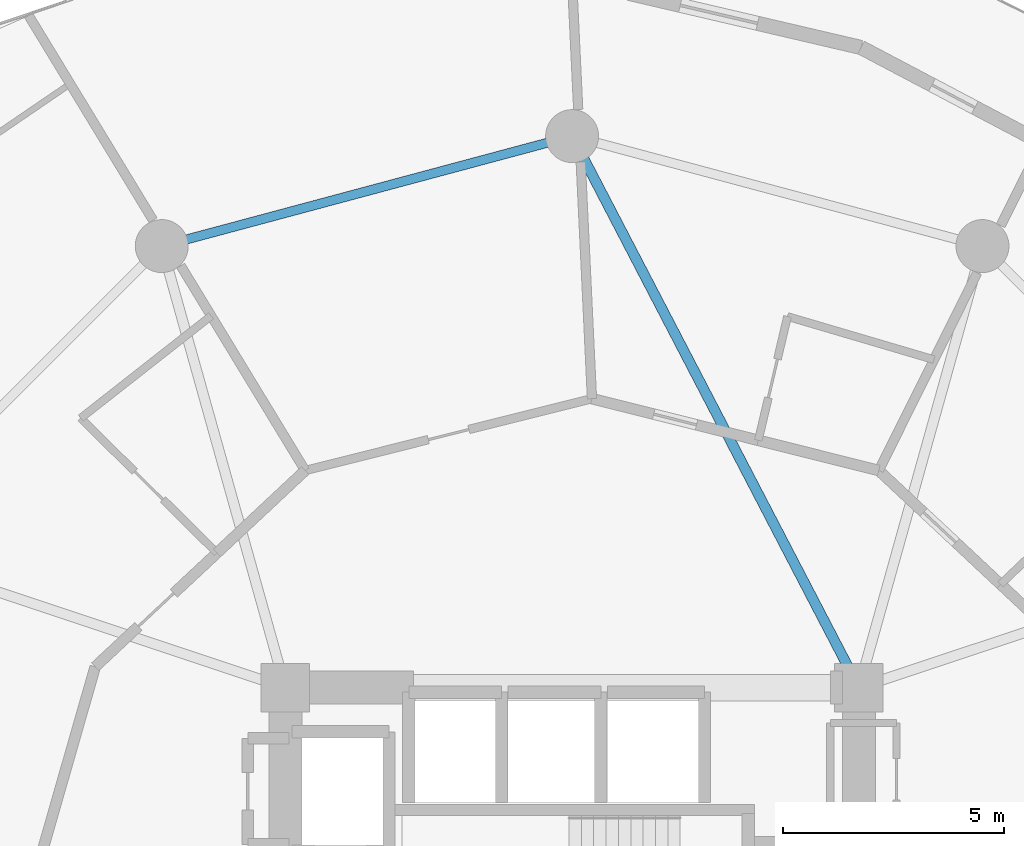
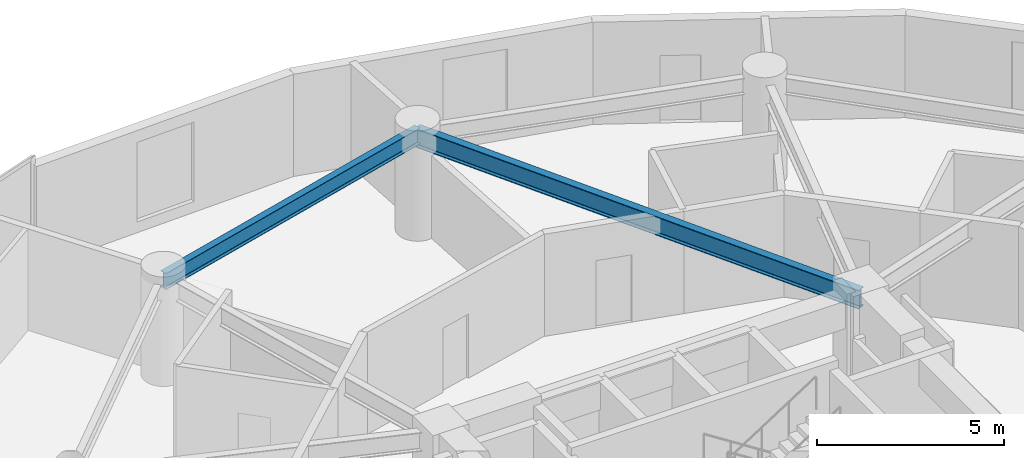
# One storey, part 13 of 23: 2 beams.
"""IFC4 building model written with IfcOpenShell, lengths in metres."""

import ifcopenshell
import ifcopenshell.guid

model = None  # the IFC model being written
_history = None  # IfcOwnerHistory: only IFC2X3 demands one
_inside = {}  # id of a spatial element -> (the spatial element, [elements in it])
_under = {}  # id of a project, library or spatial element -> (it, [spatial elements below it])
_declared = {}  # id of a project -> (the project, [libraries it declares])
_typed = {}  # id of a type object -> (the type object, [elements of that type])
_made_of = {}  # id of a material, layer set ... -> (it, [elements and type objects made of it])


def new_model(schema):
    """Start an empty IFC model of exactly this schema.

    Asked for "IFC4X3", IfcOpenShell would pick the latest addendum, in which some entities
    have other attributes; the version numbers below select the first issue.
    IFC2X3 requires an IfcOwnerHistory on every rooted entity: one is made here for all.
    """
    global model, _history
    if schema == "IFC4X3":
        model = ifcopenshell.file(schema_version=(4, 3, 0, 0))
    else:
        model = ifcopenshell.file(schema=schema)
    _inside.clear()
    _under.clear()
    _declared.clear()
    _typed.clear()
    _made_of.clear()
    _history = None
    if model.schema == "IFC2X3":
        org = make("IfcOrganization", Name="unknown")
        user = make(
            "IfcPersonAndOrganization",
            ThePerson=make("IfcPerson", FamilyName="unknown"),
            TheOrganization=org,
        )
        app = make(
            "IfcApplication",
            ApplicationDeveloper=org,
            Version="unknown",
            ApplicationFullName="unknown",
            ApplicationIdentifier="unknown",
        )
        _history = make(
            "IfcOwnerHistory",
            OwningUser=user,
            OwningApplication=app,
            ChangeAction="ADDED",
            CreationDate=0,
        )
    return model


def make(cls, **values):
    """One entity of the class cls with the attributes given. An attribute that is None is left unset."""
    return model.create_entity(
        cls, **{name: value for name, value in values.items() if value is not None}
    )


def rooted(cls, **values):
    """An entity with a GlobalId (a new one), such as an element, a storey or a relation."""
    return make(cls, GlobalId=ifcopenshell.guid.new(), OwnerHistory=_history, **values)


def si_unit(unit_type, name, prefix=None):
    """IfcSIUnit, for example si_unit("LENGTHUNIT", "METRE", prefix="MILLI")."""
    return make("IfcSIUnit", UnitType=unit_type, Prefix=prefix, Name=name)


def assignment(units):
    """IfcUnitAssignment: the units of a project."""
    return None if units is None else make("IfcUnitAssignment", Units=units)


def point(xyz):
    """IfcCartesianPoint."""
    return None if xyz is None else make("IfcCartesianPoint", Coordinates=xyz)


def direction(xyz):
    """IfcDirection."""
    return None if xyz is None else make("IfcDirection", DirectionRatios=xyz)


def frame(location, z_axis=None, x_axis=None):
    """IfcAxis2Placement3D, a coordinate frame: its origin and axes. An axis left out is left unset."""
    return make(
        "IfcAxis2Placement3D",
        Location=point(location),
        Axis=direction(z_axis),
        RefDirection=direction(x_axis),
    )


def frame_2d(location, x_axis=None):
    """IfcAxis2Placement2D, a coordinate frame in the plane: its origin and x axis."""
    return make(
        "IfcAxis2Placement2D", Location=point(location), RefDirection=direction(x_axis)
    )


def origin():
    """The frame at (0, 0, 0) with its axes left unset."""
    return frame((0.0, 0.0, 0.0))


def origin_2d():
    """The frame at (0, 0) in the plane with its x axis left unset."""
    return frame_2d((0.0, 0.0))


def place(relative_to, where):
    """IfcLocalPlacement: puts the frame where relative to a parent placement (None: the world)."""
    return make(
        "IfcLocalPlacement", PlacementRelTo=relative_to, RelativePlacement=where
    )


def context(
    kind, dimensions, precision=None, world=None, true_north=None, identifier=None
):
    """IfcGeometricRepresentationContext, for example the 3D "Model" context."""
    return make(
        "IfcGeometricRepresentationContext",
        ContextIdentifier=identifier,
        ContextType=kind,
        CoordinateSpaceDimension=dimensions,
        Precision=precision,
        WorldCoordinateSystem=world,
        TrueNorth=true_north,
    )


def subcontext(parent, identifier, kind, view, scale=None):
    """IfcGeometricRepresentationSubContext, for example "Body" below "Model"."""
    return make(
        "IfcGeometricRepresentationSubContext",
        ContextIdentifier=identifier,
        ContextType=kind,
        ParentContext=parent,
        TargetScale=scale,
        TargetView=view,
    )


def project(units=None, contexts=None):
    """IfcProject with its units and contexts."""
    return rooted(
        "IfcProject",
        Name="project",
        RepresentationContexts=contexts,
        UnitsInContext=assignment(units),
    )


def spatial(cls, under=None, at=None, **own):
    """A site, building, storey or space (cls), placed at a placement, below another one or the project."""
    s = rooted(cls, ObjectPlacement=at, **own)
    if under is not None:
        _under.setdefault(under.id(), (under, []))[1].append(s)
    return s


def profile(cls, at=None, kind="AREA", **sizes):
    """A parametric profile (cls). Its sizes go by their IFC names, for example OverallWidth=200.0."""
    return make(cls, ProfileType=kind, Position=at, **sizes)


def i_section(**sizes):
    """IfcIShapeProfileDef."""
    return profile("IfcIShapeProfileDef", **sizes)


def extrude(swept, where, along, depth):
    """IfcExtrudedAreaSolid: the profile swept, set in the frame where, extruded along a direction by depth."""
    return make(
        "IfcExtrudedAreaSolid",
        SweptArea=swept,
        Position=where,
        ExtrudedDirection=direction(along),
        Depth=depth,
    )


def shape(context_of_items, identifier, shape_type, items):
    """IfcShapeRepresentation: the items that make up one representation, for example the "Body"."""
    return make(
        "IfcShapeRepresentation",
        ContextOfItems=context_of_items,
        RepresentationIdentifier=identifier,
        RepresentationType=shape_type,
        Items=items,
    )


def material(Name=None, Category=None):
    """IfcMaterial."""
    return make("IfcMaterial", Name=Name, Category=Category)


def material_profile(
    of_material, cross_section, Name=None, Category=None, Priority=None
):
    """IfcMaterialProfile: a cross section and its material."""
    return make(
        "IfcMaterialProfile",
        Name=Name,
        Material=of_material,
        Profile=cross_section,
        Priority=Priority,
        Category=Category,
    )


def profile_set(profiles, Name=None, composite=None):
    """IfcMaterialProfileSet."""
    return make(
        "IfcMaterialProfileSet",
        Name=Name,
        MaterialProfiles=profiles,
        CompositeProfile=composite,
    )


def made_of(thing, what):
    """Note that an element or type object is made of a material, layer set ...; save() writes the relation."""
    if what is not None:
        _made_of.setdefault(what.id(), (what, []))[1].append(thing)
    return thing


def type_object(cls, material=None, **own):
    """A type object (cls), such as IfcWallType, which elements share."""
    return made_of(rooted(cls, **own), material)


def element(
    cls,
    number,
    at=None,
    inside=None,
    cuts=None,
    type_object=None,
    material=None,
    context=None,
    identifier="Body",
    shape_type=None,
    held_by="IfcProductDefinitionShape",
    body=None,
    shapes=None,
    **own,
):
    """One element of the class cls, such as IfcWall. Its Tag is "e" and its number.

    at: its placement. inside: the storey or other place that contains it. cuts: it is an
    opening in that element (IfcRelVoidsElement). A single representation is given by context,
    identifier, shape_type and body (its items); several are given by shapes. held_by: the class
    of the entity that holds the representations. save() writes the other relations.
    """
    e = rooted(cls, Tag="e%d" % number, ObjectPlacement=at, **own)
    if body is not None:
        shapes = [shape(context, identifier, shape_type, body)]
    if shapes is not None:
        e.Representation = make(held_by, Representations=shapes)
    if inside is not None:
        _inside.setdefault(inside.id(), (inside, []))[1].append(e)
    if cuts is not None:
        rooted(
            "IfcRelVoidsElement", RelatingBuildingElement=cuts, RelatedOpeningElement=e
        )
    if type_object is not None:
        _typed.setdefault(type_object.id(), (type_object, []))[1].append(e)
    return made_of(e, material)


def aggregate(whole, parts):
    """IfcRelAggregates: a whole, such as a stair, and the parts it consists of."""
    return rooted("IfcRelAggregates", RelatingObject=whole, RelatedObjects=parts)


def save(model, path):
    """Write the relations noted so far, then the file.

    IfcRelAggregates (storeys below a building ...), IfcRelContainedInSpatialStructure (elements
    in a storey), IfcRelDefinesByType, IfcRelAssociatesMaterial and IfcRelDeclares: one each for
    every whole, place, type object, material and project.
    """
    for whole, parts in _under.values():
        aggregate(whole, parts)
    for where, things in _inside.values():
        rooted(
            "IfcRelContainedInSpatialStructure",
            RelatedElements=things,
            RelatingStructure=where,
        )
    for kind, things in _typed.values():
        rooted("IfcRelDefinesByType", RelatedObjects=things, RelatingType=kind)
    for what, things in _made_of.values():
        rooted("IfcRelAssociatesMaterial", RelatedObjects=things, RelatingMaterial=what)
    for by, libraries in _declared.values():
        rooted("IfcRelDeclares", RelatingContext=by, RelatedDefinitions=libraries)
    model.write(path)


model = new_model("IFC4")

# Units and contexts
model_context = context("Model", 3, precision=1e-05, world=origin(), true_north=direction((0.0, 1.0)))
body_context = subcontext(model_context, "Body", "Model", "MODEL_VIEW")
ifc_project = project(units=[si_unit("LENGTHUNIT", "METRE"), si_unit("AREAUNIT", "SQUARE_METRE"), si_unit("VOLUMEUNIT", "CUBIC_METRE"), si_unit("PLANEANGLEUNIT", "RADIAN"), si_unit("MASSUNIT", "GRAM", prefix="KILO")], contexts=[model_context])

# Site, building, storey
site_placement = place(None, origin())
site = spatial("IfcSite", under=ifc_project, at=site_placement, CompositionType="ELEMENT")
building_placement = place(site_placement, origin())
building = spatial("IfcBuilding", under=site, at=building_placement, Name="Solvirekh Grand Hotel", CompositionType="ELEMENT")
storey_placement = place(building_placement, frame((0.0, 0.0, 75.199951171875)))
storey = spatial("IfcBuildingStorey", under=building, at=storey_placement, Name="L18", CompositionType="ELEMENT", Elevation=75.199951171875)

# Beams
ifc_material = material(Name="Steel S355", Category="steel")
ifc_material_profile_1 = material_profile(ifc_material, i_section(OverallWidth=0.22998046875, OverallDepth=0.615966796875, WebThickness=0.013916015625, FlangeThickness=0.02392578125, FilletRadius=0.014892578125, at=origin_2d()), Name="W610X174")
ifc_profile_set_1 = profile_set([ifc_material_profile_1], Name="Steel S355")
beam_type_1 = type_object("IfcBeamType", Name="Beam_Primary_W610H", PredefinedType="BEAM", material=ifc_profile_set_1)
beam_1_placement = place(storey_placement, frame((6.5, 6.10009765625, 3.031982421875), z_axis=(-0.461352736642, 0.887216801235, 0.0), x_axis=(-0.887216801235, -0.461352736642, 0.0)))
element("IfcBeam", 1, at=beam_1_placement, inside=storey, type_object=beam_type_1, Name="L18 radial floor beam R04", PredefinedType="BEAM", context=body_context, shape_type="SweptSolid", body=[
    extrude(i_section(OverallWidth=0.22998046875, OverallDepth=0.615966796875, WebThickness=0.013916015625, FlangeThickness=0.02392578125, FilletRadius=0.014892578125, at=origin_2d()), origin(), (0.0, 0.0, 1.0), 14.089111328125),
])
ifc_material_profile_2 = material_profile(ifc_material, i_section(OverallWidth=0.208984375, OverallDepth=0.532958984375, WebThickness=0.010009765625, FlangeThickness=0.014892578125, FilletRadius=0.013916015625, at=origin_2d()), Name="W530X92")
ifc_profile_set_2 = profile_set([ifc_material_profile_2], Name="Steel S355")
beam_type_2 = type_object("IfcBeamType", Name="Spandrel_Ring_W530", PredefinedType="SPANDREL", material=ifc_profile_set_2)
beam_2_placement = place(storey_placement, frame((0.0, 18.60009765625, 3.073974609375), z_axis=(-0.965919414426, -0.258842973314, 0.0), x_axis=(0.258842973314, -0.965919414426, 0.0)))
element("IfcBeam", 2, at=beam_2_placement, inside=storey, type_object=beam_type_2, Name="L18 perimeter spandrel beam 4", PredefinedType="SPANDREL", context=body_context, shape_type="SweptSolid", body=[
    extrude(i_section(OverallWidth=0.208984375, OverallDepth=0.532958984375, WebThickness=0.010009765625, FlangeThickness=0.014892578125, FilletRadius=0.013916015625, at=origin_2d()), origin(), (0.0, 0.0, 1.0), 9.628173828125),
])

save(model, "model.ifc")
